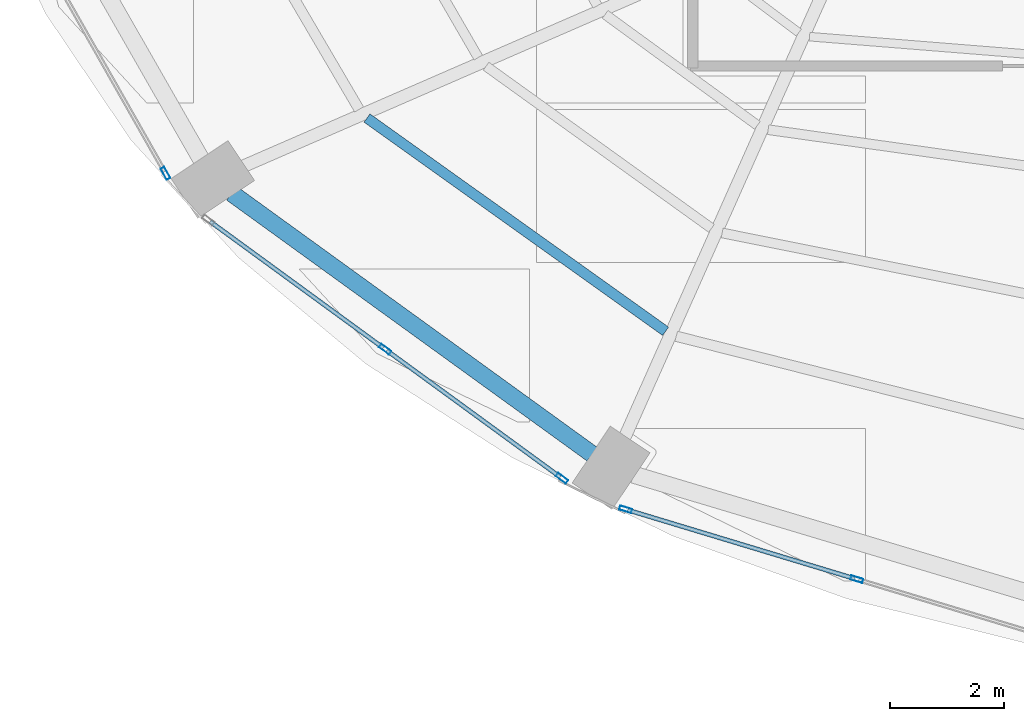
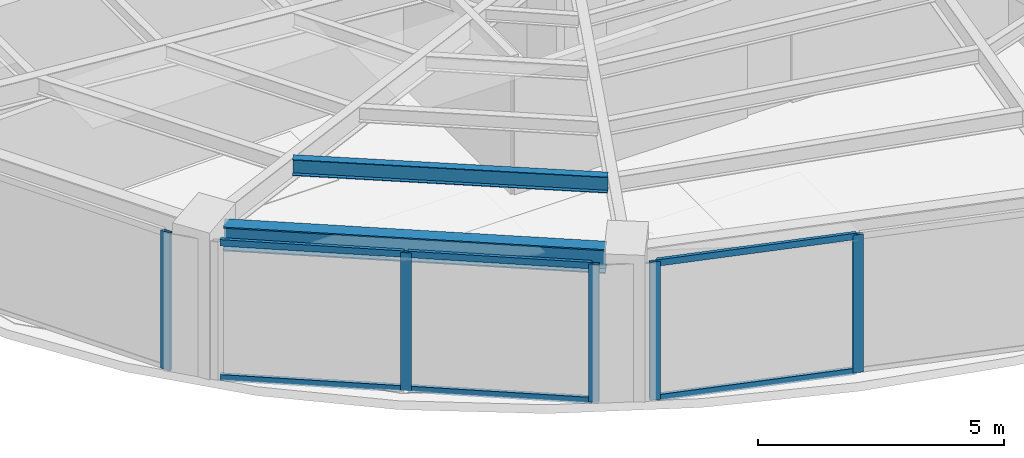
# One storey, part 2 of 24: 11 members, 2 beams, 3 elements without a shape of their own.
"""IFC4 building model written with IfcOpenShell, lengths in metres."""

from ifc_helpers import new_model, si_unit, direction, frame, origin, origin_2d, place, context, subcontext, project, spatial, hollow_rectangle, i_section, extrude, material, layer, layer_set, material_profile, profile_set, type_object, element, aggregate, save


model = new_model("IFC4")

# Units and contexts
model_context = context("Model", 3, precision=1e-05, world=origin(), true_north=direction((0.0, 1.0)))
body_context = subcontext(model_context, "Body", "Model", "MODEL_VIEW")
ifc_project = project(units=[si_unit("LENGTHUNIT", "METRE"), si_unit("AREAUNIT", "SQUARE_METRE"), si_unit("VOLUMEUNIT", "CUBIC_METRE"), si_unit("PLANEANGLEUNIT", "RADIAN"), si_unit("MASSUNIT", "GRAM", prefix="KILO")], contexts=[model_context])

# Site, building, storey
site_placement = place(None, origin())
site = spatial("IfcSite", under=ifc_project, at=site_placement, CompositionType="ELEMENT")
building_placement = place(site_placement, origin())
building = spatial("IfcBuilding", under=site, at=building_placement, Name="Lazwardi Medical Tower", CompositionType="ELEMENT")
storey_placement = place(building_placement, frame((0.0, 0.0, 99.98388671875)))
storey = spatial("IfcBuildingStorey", under=building, at=storey_placement, Name="L25", CompositionType="ELEMENT", Elevation=99.98388671875)

# Beams
ifc_material_1 = material(Name="Steel S355", Category="steel")
ifc_material_profile_1 = material_profile(ifc_material_1, i_section(OverallWidth=0.300048828125, OverallDepth=0.60009765625, WebThickness=0.015380859375, FlangeThickness=0.030029296875, at=origin_2d()), Name="HEB 600")
ifc_profile_set_1 = profile_set([ifc_material_profile_1], Name="Steel S355")
beam_type_1 = type_object("IfcBeamType", Name="BM-RB-Z2", PredefinedType="BEAM", material=ifc_profile_set_1)
beam_1_placement = place(storey_placement, frame((15.25439453125, 15.164794921875, 3.128173828125), z_axis=(0.81005674773, -0.586351486275, 0.0), x_axis=(0.586351486275, 0.81005674773, 0.0)))
element("IfcBeam", 1, at=beam_1_placement, inside=storey, type_object=beam_type_1, Name="Ring beam RB-03 B14 L25", PredefinedType="BEAM", context=body_context, shape_type="SweptSolid", body=[
    extrude(i_section(OverallWidth=0.300048828125, OverallDepth=0.60009765625, WebThickness=0.015380859375, FlangeThickness=0.030029296875, at=origin_2d()), origin(), (0.0, 0.0, 1.0), 7.81396484375),
])
ifc_material_profile_2 = material_profile(ifc_material_1, i_section(OverallWidth=0.179931640625, OverallDepth=0.39990234375, WebThickness=0.008544921875, FlangeThickness=0.013427734375, at=origin_2d()), Name="IPE 400")
ifc_profile_set_2 = profile_set([ifc_material_profile_2], Name="Steel S355")
beam_type_2 = type_object("IfcBeamType", Name="BM-SJ-01", PredefinedType="JOIST", material=ifc_profile_set_2)
beam_2_placement = place(storey_placement, frame((17.630615234375, 16.485595703125, 3.22802734375), z_axis=(0.813748834317, -0.581216684763, 0.0), x_axis=(0.581216684763, 0.813748834317, 0.0)))
element("IfcBeam", 2, at=beam_2_placement, inside=storey, type_object=beam_type_2, Name="Secondary joist SJ-01 R1 B14 L25", PredefinedType="JOIST", context=body_context, shape_type="SweptSolid", body=[
    extrude(i_section(OverallWidth=0.179931640625, OverallDepth=0.39990234375, WebThickness=0.008544921875, FlangeThickness=0.013427734375, at=origin_2d()), origin(), (0.0, 0.0, 1.0), 6.4423828125),
])

# Curtain wall, member
ifc_material_2 = material(Name="Anodised bronze aluminium and solar control glazing", Category="aluminium")
ifc_layer = layer(ifc_material_2, 0.195068359375)
ifc_layer_set = layer_set([ifc_layer], Name="Anodised bronze aluminium and solar control glazing")
curtain_wall_type = type_object("IfcCurtainWallType", Name="CW-SYS-03", PredefinedType="NOTDEFINED", material=ifc_layer_set)
curtain_wall_1_placement = place(storey_placement, origin())
curtain_wall_1 = element("IfcCurtainWall", 3, at=curtain_wall_1_placement, inside=storey, type_object=curtain_wall_type, Name="L25 Unitised bronze curtain wall CW-03", PredefinedType="NOTDEFINED")
ifc_material_3 = material(Name="Anodised bronze aluminium", Category="aluminium")
ifc_material_profile_3 = material_profile(ifc_material_3, hollow_rectangle(XDim=0.074951171875, YDim=0.219970703125, WallThickness=0.00390625, at=origin_2d()), Name="ALU-MULLION 220x75x4")
ifc_profile_set_3 = profile_set([ifc_material_profile_3], Name="Anodised bronze aluminium")
member_type_1 = type_object("IfcMemberType", Name="CW-MUL-01", PredefinedType="MULLION", material=ifc_profile_set_3)
member_1_placement = place(storey_placement, frame((14.0927734375, 15.51416015625, 0.0), z_axis=(0.0, 0.0, 1.0), x_axis=(0.869687265712, 0.493603140041, 0.0)))
member_1 = element("IfcMember", 4, at=member_1_placement, type_object=member_type_1, Name="CW-03 mullion 2", PredefinedType="MULLION", context=body_context, shape_type="SweptSolid", body=[
    extrude(hollow_rectangle(XDim=0.074951171875, YDim=0.219970703125, WallThickness=0.00390625, at=origin_2d()), origin(), (0.0, 0.0, 1.0), 3.42822265625),
])
aggregate(curtain_wall_1, [member_1])

# Curtain wall, members
curtain_wall_2_placement = place(storey_placement, origin())
curtain_wall_2 = element("IfcCurtainWall", 5, at=curtain_wall_2_placement, inside=storey, type_object=curtain_wall_type, Name="L25 Unitised bronze curtain wall CW-03", PredefinedType="NOTDEFINED")
member_2_placement = place(storey_placement, frame((17.948974609375, 12.42578125, 0.0), z_axis=(0.0, 0.0, 1.0), x_axis=(0.589530882802, 0.807745837639, 0.0)))
member_2 = element("IfcMember", 6, at=member_2_placement, type_object=member_type_1, Name="CW-03 mullion 2", PredefinedType="MULLION", context=body_context, shape_type="SweptSolid", body=[
    extrude(hollow_rectangle(XDim=0.074951171875, YDim=0.219970703125, WallThickness=0.00390625, at=origin_2d()), origin(), (0.0, 0.0, 1.0), 3.42822265625),
])
member_3_placement = place(storey_placement, frame((21.052734375, 10.160400390625, 0.0), z_axis=(0.0, 0.0, 1.0), x_axis=(0.589530882802, 0.807745837639, 0.0)))
member_3 = element("IfcMember", 7, at=member_3_placement, type_object=member_type_1, Name="CW-03 mullion 3", PredefinedType="MULLION", context=body_context, shape_type="SweptSolid", body=[
    extrude(hollow_rectangle(XDim=0.074951171875, YDim=0.219970703125, WallThickness=0.00390625, at=origin_2d()), origin(), (0.0, 0.0, 1.0), 3.42822265625),
])

curtain_wall_3_placement = place(storey_placement, origin())
curtain_wall_3 = element("IfcCurtainWall", 8, at=curtain_wall_3_placement, inside=storey, type_object=curtain_wall_type, Name="L25 Unitised bronze curtain wall CW-03", PredefinedType="NOTDEFINED")
member_4_placement = place(storey_placement, frame((22.171630859375, 9.614013671875, 0.0), z_axis=(0.0, 0.0, 1.0), x_axis=(0.28937381157, 0.957216170558, 0.0)))
member_4 = element("IfcMember", 9, at=member_4_placement, type_object=member_type_1, Name="CW-03 mullion 1", PredefinedType="MULLION", context=body_context, shape_type="SweptSolid", body=[
    extrude(hollow_rectangle(XDim=0.074951171875, YDim=0.219970703125, WallThickness=0.00390625, at=origin_2d()), origin(), (0.0, 0.0, 1.0), 3.42822265625),
])
member_5_placement = place(storey_placement, frame((26.230712890625, 8.386962890625, 0.0), z_axis=(0.0, 0.0, 1.0), x_axis=(0.28937381157, 0.957216170558, 0.0)))
member_5 = element("IfcMember", 10, at=member_5_placement, type_object=member_type_1, Name="CW-03 mullion 2", PredefinedType="MULLION", context=body_context, shape_type="SweptSolid", body=[
    extrude(hollow_rectangle(XDim=0.074951171875, YDim=0.219970703125, WallThickness=0.00390625, at=origin_2d()), origin(), (0.0, 0.0, 1.0), 3.42822265625),
])

# Member
ifc_material_profile_4 = material_profile(ifc_material_3, hollow_rectangle(XDim=0.074951171875, YDim=0.159912109375, WallThickness=0.00390625, at=origin_2d()), Name="ALU-TRANSOM 160x75x4")
ifc_profile_set_4 = profile_set([ifc_material_profile_4], Name="Anodised bronze aluminium")
member_type_2 = type_object("IfcMemberType", Name="CW-TRN-01", PredefinedType="USERDEFINED", material=ifc_profile_set_4)
member_6_placement = place(storey_placement, frame((14.87548828125, 14.6689453125, 0.03759765625), z_axis=(0.807731734271, -0.589550206049, 0.0), x_axis=(0.589550206049, 0.807731734271, 0.0)))
member_6 = element("IfcMember", 11, at=member_6_placement, type_object=member_type_2, Name="CW-03 transom 1.1", ObjectType="TRANSOM", PredefinedType="USERDEFINED", context=body_context, shape_type="SweptSolid", body=[
    extrude(hollow_rectangle(XDim=0.074951171875, YDim=0.159912109375, WallThickness=0.00390625, at=origin_2d()), origin(), (0.0, 0.0, 1.0), 3.767578125),
])

member_7_placement = place(storey_placement, frame((14.87548828125, 14.6689453125, 3.390625), z_axis=(0.807731734271, -0.589550206049, 0.0), x_axis=(0.589550206049, 0.807731734271, 0.0)))
member_7 = element("IfcMember", 12, at=member_7_placement, type_object=member_type_2, Name="CW-03 transom 1.2", ObjectType="TRANSOM", PredefinedType="USERDEFINED", context=body_context, shape_type="SweptSolid", body=[
    extrude(hollow_rectangle(XDim=0.074951171875, YDim=0.159912109375, WallThickness=0.00390625, at=origin_2d()), origin(), (0.0, 0.0, 1.0), 3.767578125),
])

member_8_placement = place(storey_placement, frame((17.979248046875, 12.403564453125, 0.03759765625), z_axis=(0.80776259199, -0.58950792614, 0.0), x_axis=(0.58950792614, 0.80776259199, 0.0)))
member_8 = element("IfcMember", 13, at=member_8_placement, type_object=member_type_2, Name="CW-03 transom 2.1", ObjectType="TRANSOM", PredefinedType="USERDEFINED", context=body_context, shape_type="SweptSolid", body=[
    extrude(hollow_rectangle(XDim=0.074951171875, YDim=0.159912109375, WallThickness=0.00390625, at=origin_2d()), origin(), (0.0, 0.0, 1.0), 3.767578125),
])

member_9_placement = place(storey_placement, frame((17.979248046875, 12.403564453125, 3.390625), z_axis=(0.80776259199, -0.58950792614, 0.0), x_axis=(0.58950792614, 0.80776259199, 0.0)))
member_9 = element("IfcMember", 14, at=member_9_placement, type_object=member_type_2, Name="CW-03 transom 2.2", ObjectType="TRANSOM", PredefinedType="USERDEFINED", context=body_context, shape_type="SweptSolid", body=[
    extrude(hollow_rectangle(XDim=0.074951171875, YDim=0.159912109375, WallThickness=0.00390625, at=origin_2d()), origin(), (0.0, 0.0, 1.0), 3.767578125),
])

aggregate(curtain_wall_2, [member_2, member_3, member_6, member_7, member_8, member_9])

member_10_placement = place(storey_placement, frame((22.20751953125, 9.603271484375, 0.03759765625), z_axis=(0.957204630929, -0.289411980623, 0.0), x_axis=(0.289411980623, 0.957204630929, 0.0)))
member_10 = element("IfcMember", 15, at=member_10_placement, type_object=member_type_2, Name="CW-03 transom 1.1", ObjectType="TRANSOM", PredefinedType="USERDEFINED", context=body_context, shape_type="SweptSolid", body=[
    extrude(hollow_rectangle(XDim=0.074951171875, YDim=0.159912109375, WallThickness=0.00390625, at=origin_2d()), origin(), (0.0, 0.0, 1.0), 4.16552734375),
])

member_11_placement = place(storey_placement, frame((22.20751953125, 9.603271484375, 3.390625), z_axis=(0.957204630929, -0.289411980623, 0.0), x_axis=(0.289411980623, 0.957204630929, 0.0)))
member_11 = element("IfcMember", 16, at=member_11_placement, type_object=member_type_2, Name="CW-03 transom 1.2", ObjectType="TRANSOM", PredefinedType="USERDEFINED", context=body_context, shape_type="SweptSolid", body=[
    extrude(hollow_rectangle(XDim=0.074951171875, YDim=0.159912109375, WallThickness=0.00390625, at=origin_2d()), origin(), (0.0, 0.0, 1.0), 4.16552734375),
])

aggregate(curtain_wall_3, [member_4, member_5, member_10, member_11])

save(model, "model.ifc")
